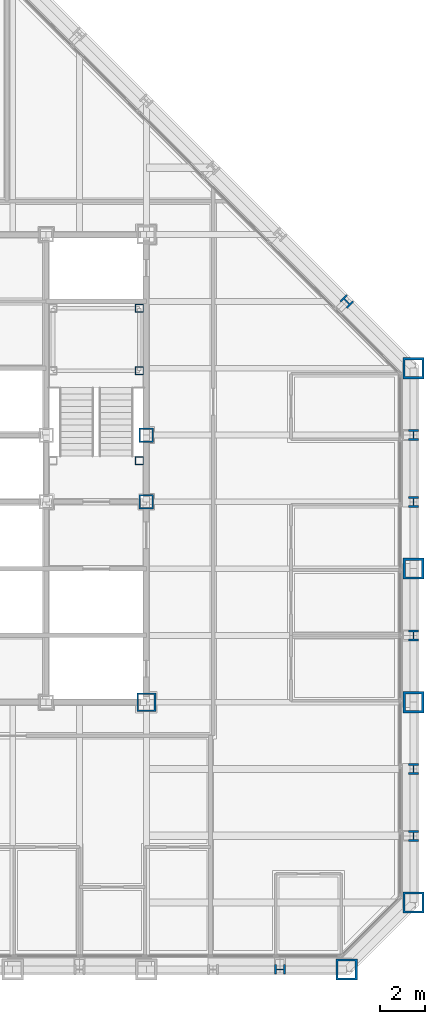
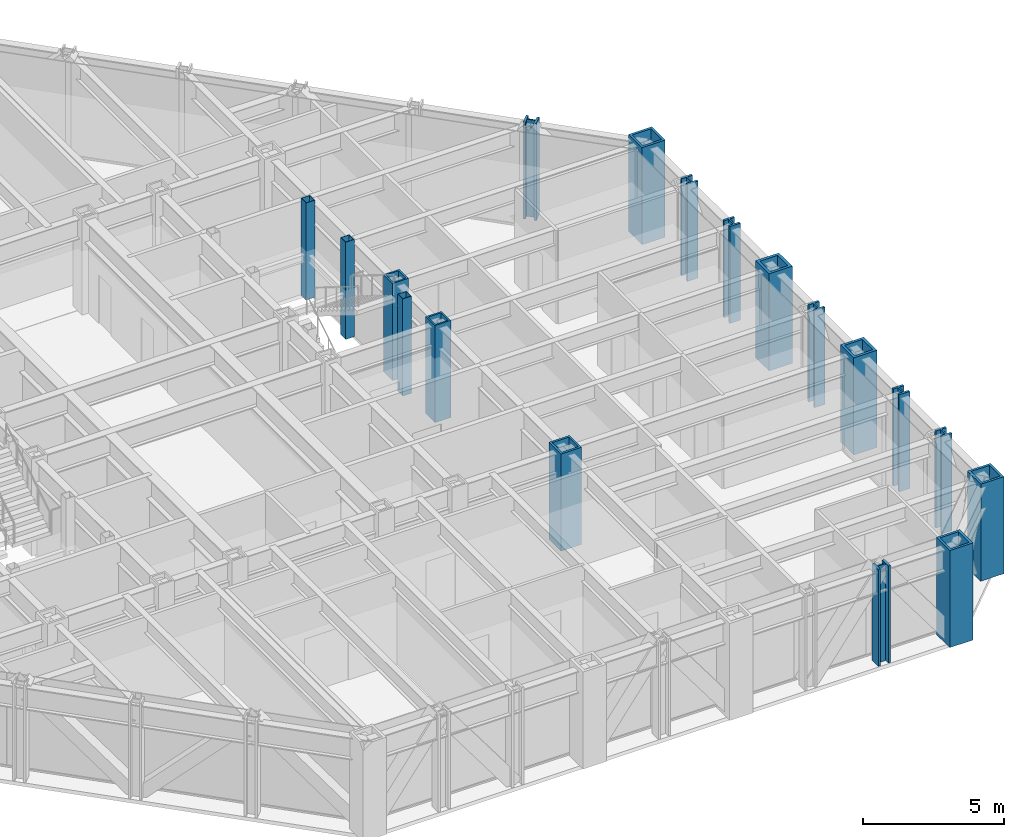
# One storey, part 2 of 16: 18 columns.
"""IFC4 building model written with IfcOpenShell, lengths in metres."""

import ifcopenshell
import ifcopenshell.guid

model = None  # the IFC model being written
_history = None  # IfcOwnerHistory: only IFC2X3 demands one
_inside = {}  # id of a spatial element -> (the spatial element, [elements in it])
_under = {}  # id of a project, library or spatial element -> (it, [spatial elements below it])
_declared = {}  # id of a project -> (the project, [libraries it declares])
_typed = {}  # id of a type object -> (the type object, [elements of that type])
_made_of = {}  # id of a material, layer set ... -> (it, [elements and type objects made of it])


def new_model(schema):
    """Start an empty IFC model of exactly this schema.

    Asked for "IFC4X3", IfcOpenShell would pick the latest addendum, in which some entities
    have other attributes; the version numbers below select the first issue.
    IFC2X3 requires an IfcOwnerHistory on every rooted entity: one is made here for all.
    """
    global model, _history
    if schema == "IFC4X3":
        model = ifcopenshell.file(schema_version=(4, 3, 0, 0))
    else:
        model = ifcopenshell.file(schema=schema)
    _inside.clear()
    _under.clear()
    _declared.clear()
    _typed.clear()
    _made_of.clear()
    _history = None
    if model.schema == "IFC2X3":
        org = make("IfcOrganization", Name="unknown")
        user = make(
            "IfcPersonAndOrganization",
            ThePerson=make("IfcPerson", FamilyName="unknown"),
            TheOrganization=org,
        )
        app = make(
            "IfcApplication",
            ApplicationDeveloper=org,
            Version="unknown",
            ApplicationFullName="unknown",
            ApplicationIdentifier="unknown",
        )
        _history = make(
            "IfcOwnerHistory",
            OwningUser=user,
            OwningApplication=app,
            ChangeAction="ADDED",
            CreationDate=0,
        )
    return model


def make(cls, **values):
    """One entity of the class cls with the attributes given. An attribute that is None is left unset."""
    return model.create_entity(
        cls, **{name: value for name, value in values.items() if value is not None}
    )


def rooted(cls, **values):
    """An entity with a GlobalId (a new one), such as an element, a storey or a relation."""
    return make(cls, GlobalId=ifcopenshell.guid.new(), OwnerHistory=_history, **values)


def si_unit(unit_type, name, prefix=None):
    """IfcSIUnit, for example si_unit("LENGTHUNIT", "METRE", prefix="MILLI")."""
    return make("IfcSIUnit", UnitType=unit_type, Prefix=prefix, Name=name)


def assignment(units):
    """IfcUnitAssignment: the units of a project."""
    return None if units is None else make("IfcUnitAssignment", Units=units)


def point(xyz):
    """IfcCartesianPoint."""
    return None if xyz is None else make("IfcCartesianPoint", Coordinates=xyz)


def direction(xyz):
    """IfcDirection."""
    return None if xyz is None else make("IfcDirection", DirectionRatios=xyz)


def frame(location, z_axis=None, x_axis=None):
    """IfcAxis2Placement3D, a coordinate frame: its origin and axes. An axis left out is left unset."""
    return make(
        "IfcAxis2Placement3D",
        Location=point(location),
        Axis=direction(z_axis),
        RefDirection=direction(x_axis),
    )


def frame_2d(location, x_axis=None):
    """IfcAxis2Placement2D, a coordinate frame in the plane: its origin and x axis."""
    return make(
        "IfcAxis2Placement2D", Location=point(location), RefDirection=direction(x_axis)
    )


def origin():
    """The frame at (0, 0, 0) with its axes left unset."""
    return frame((0.0, 0.0, 0.0))


def origin_2d():
    """The frame at (0, 0) in the plane with its x axis left unset."""
    return frame_2d((0.0, 0.0))


def place(relative_to, where):
    """IfcLocalPlacement: puts the frame where relative to a parent placement (None: the world)."""
    return make(
        "IfcLocalPlacement", PlacementRelTo=relative_to, RelativePlacement=where
    )


def context(
    kind, dimensions, precision=None, world=None, true_north=None, identifier=None
):
    """IfcGeometricRepresentationContext, for example the 3D "Model" context."""
    return make(
        "IfcGeometricRepresentationContext",
        ContextIdentifier=identifier,
        ContextType=kind,
        CoordinateSpaceDimension=dimensions,
        Precision=precision,
        WorldCoordinateSystem=world,
        TrueNorth=true_north,
    )


def subcontext(parent, identifier, kind, view, scale=None):
    """IfcGeometricRepresentationSubContext, for example "Body" below "Model"."""
    return make(
        "IfcGeometricRepresentationSubContext",
        ContextIdentifier=identifier,
        ContextType=kind,
        ParentContext=parent,
        TargetScale=scale,
        TargetView=view,
    )


def project(units=None, contexts=None):
    """IfcProject with its units and contexts."""
    return rooted(
        "IfcProject",
        Name="project",
        RepresentationContexts=contexts,
        UnitsInContext=assignment(units),
    )


def spatial(cls, under=None, at=None, **own):
    """A site, building, storey or space (cls), placed at a placement, below another one or the project."""
    s = rooted(cls, ObjectPlacement=at, **own)
    if under is not None:
        _under.setdefault(under.id(), (under, []))[1].append(s)
    return s


def profile(cls, at=None, kind="AREA", **sizes):
    """A parametric profile (cls). Its sizes go by their IFC names, for example OverallWidth=200.0."""
    return make(cls, ProfileType=kind, Position=at, **sizes)


def hollow_rectangle(**sizes):
    """IfcRectangleHollowProfileDef."""
    return profile("IfcRectangleHollowProfileDef", **sizes)


def i_section(**sizes):
    """IfcIShapeProfileDef."""
    return profile("IfcIShapeProfileDef", **sizes)


def extrude(swept, where, along, depth):
    """IfcExtrudedAreaSolid: the profile swept, set in the frame where, extruded along a direction by depth."""
    return make(
        "IfcExtrudedAreaSolid",
        SweptArea=swept,
        Position=where,
        ExtrudedDirection=direction(along),
        Depth=depth,
    )


def shape(context_of_items, identifier, shape_type, items):
    """IfcShapeRepresentation: the items that make up one representation, for example the "Body"."""
    return make(
        "IfcShapeRepresentation",
        ContextOfItems=context_of_items,
        RepresentationIdentifier=identifier,
        RepresentationType=shape_type,
        Items=items,
    )


def material(Name=None, Category=None):
    """IfcMaterial."""
    return make("IfcMaterial", Name=Name, Category=Category)


def material_profile(
    of_material, cross_section, Name=None, Category=None, Priority=None
):
    """IfcMaterialProfile: a cross section and its material."""
    return make(
        "IfcMaterialProfile",
        Name=Name,
        Material=of_material,
        Profile=cross_section,
        Priority=Priority,
        Category=Category,
    )


def profile_set(profiles, Name=None, composite=None):
    """IfcMaterialProfileSet."""
    return make(
        "IfcMaterialProfileSet",
        Name=Name,
        MaterialProfiles=profiles,
        CompositeProfile=composite,
    )


def made_of(thing, what):
    """Note that an element or type object is made of a material, layer set ...; save() writes the relation."""
    if what is not None:
        _made_of.setdefault(what.id(), (what, []))[1].append(thing)
    return thing


def type_object(cls, material=None, **own):
    """A type object (cls), such as IfcWallType, which elements share."""
    return made_of(rooted(cls, **own), material)


def element(
    cls,
    number,
    at=None,
    inside=None,
    cuts=None,
    type_object=None,
    material=None,
    context=None,
    identifier="Body",
    shape_type=None,
    held_by="IfcProductDefinitionShape",
    body=None,
    shapes=None,
    **own,
):
    """One element of the class cls, such as IfcWall. Its Tag is "e" and its number.

    at: its placement. inside: the storey or other place that contains it. cuts: it is an
    opening in that element (IfcRelVoidsElement). A single representation is given by context,
    identifier, shape_type and body (its items); several are given by shapes. held_by: the class
    of the entity that holds the representations. save() writes the other relations.
    """
    e = rooted(cls, Tag="e%d" % number, ObjectPlacement=at, **own)
    if body is not None:
        shapes = [shape(context, identifier, shape_type, body)]
    if shapes is not None:
        e.Representation = make(held_by, Representations=shapes)
    if inside is not None:
        _inside.setdefault(inside.id(), (inside, []))[1].append(e)
    if cuts is not None:
        rooted(
            "IfcRelVoidsElement", RelatingBuildingElement=cuts, RelatedOpeningElement=e
        )
    if type_object is not None:
        _typed.setdefault(type_object.id(), (type_object, []))[1].append(e)
    return made_of(e, material)


def aggregate(whole, parts):
    """IfcRelAggregates: a whole, such as a stair, and the parts it consists of."""
    return rooted("IfcRelAggregates", RelatingObject=whole, RelatedObjects=parts)


def save(model, path):
    """Write the relations noted so far, then the file.

    IfcRelAggregates (storeys below a building ...), IfcRelContainedInSpatialStructure (elements
    in a storey), IfcRelDefinesByType, IfcRelAssociatesMaterial and IfcRelDeclares: one each for
    every whole, place, type object, material and project.
    """
    for whole, parts in _under.values():
        aggregate(whole, parts)
    for where, things in _inside.values():
        rooted(
            "IfcRelContainedInSpatialStructure",
            RelatedElements=things,
            RelatingStructure=where,
        )
    for kind, things in _typed.values():
        rooted("IfcRelDefinesByType", RelatedObjects=things, RelatingType=kind)
    for what, things in _made_of.values():
        rooted("IfcRelAssociatesMaterial", RelatedObjects=things, RelatingMaterial=what)
    for by, libraries in _declared.values():
        rooted("IfcRelDeclares", RelatingContext=by, RelatedDefinitions=libraries)
    model.write(path)


model = new_model("IFC4")

# Units and contexts
model_context = context("Model", 3, precision=1e-05, world=origin(), true_north=direction((0.0, 1.0)))
body_context = subcontext(model_context, "Body", "Model", "MODEL_VIEW")
ifc_project = project(units=[si_unit("LENGTHUNIT", "METRE"), si_unit("AREAUNIT", "SQUARE_METRE"), si_unit("VOLUMEUNIT", "CUBIC_METRE"), si_unit("PLANEANGLEUNIT", "RADIAN"), si_unit("MASSUNIT", "GRAM", prefix="KILO")], contexts=[model_context])

# Site, building, storey
site_placement = place(None, origin())
site = spatial("IfcSite", under=ifc_project, at=site_placement, CompositionType="ELEMENT")
building_placement = place(site_placement, origin())
building = spatial("IfcBuilding", under=site, at=building_placement, Name="Chuquiago Exchange Tower", CompositionType="ELEMENT")
storey_placement = place(building_placement, frame((0.0, 0.0, 140.39990234375)))
storey = spatial("IfcBuildingStorey", under=building, at=storey_placement, Name="L30", CompositionType="ELEMENT", Elevation=140.39990234375)

# Columns
ifc_material_1 = material(Name="Steel ASTM A992", Category="steel")
ifc_material_profile_1 = material_profile(ifc_material_1, i_section(OverallWidth=0.431884765625, OverallDepth=0.497802734375, WebThickness=0.0556640625, FlangeThickness=0.0888671875, at=origin_2d()), Name="W14X500")
ifc_profile_set_1 = profile_set([ifc_material_profile_1], Name="Steel ASTM A992")
column_type_1 = type_object("IfcColumnType", Name="C7 W14X500", PredefinedType="COLUMN", material=ifc_profile_set_1)
for number, where, z_axis, x_axis, name in (
    (1, (39.0, 0.0, 0.0), (0.0, 0.0, 1.0), (0.0, -1.0, 0.0), "COL-L30-39_0"),
    (2, (45.0, 6.0, 0.0), (0.0, 0.0, 1.0), (1.0, 0.0, 0.0), "COL-L30-45_6"),
    (3, (45.0, 9.0, 0.0), (0.0, 0.0, 1.0), (1.0, 0.0, 0.0), "COL-L30-45_9"),
    (4, (45.0, 15.0, 0.0), (0.0, 0.0, 1.0), (1.0, 0.0, 0.0), "COL-L30-45_15"),
    (5, (45.0, 21.0, 0.0), (0.0, 0.0, 1.0), (1.0, 0.0, 0.0), "COL-L30-45_21"),
    (6, (45.0, 24.0, 0.0), (0.0, 0.0, 1.0), (1.0, 0.0, 0.0), "COL-L30-45_24"),
):
    element("IfcColumn", number, at=place(storey_placement, frame(where, z_axis=z_axis, x_axis=x_axis)), inside=storey, type_object=column_type_1, Name=name, PredefinedType="COLUMN", context=body_context, shape_type="SweptSolid", body=[
        extrude(i_section(OverallWidth=0.431884765625, OverallDepth=0.497802734375, WebThickness=0.0556640625, FlangeThickness=0.0888671875, at=origin_2d()), origin(), (0.0, 0.0, 1.0), 4.2001953125),
    ])
ifc_material_2 = material(Name="Steel ASTM A572 Grade 50", Category="steel")
ifc_material_profile_2 = material_profile(ifc_material_2, hollow_rectangle(XDim=0.85009765625, YDim=0.85009765625, WallThickness=0.0849609375, at=origin_2d()), Name="BOX850X850X85")
ifc_profile_set_2 = profile_set([ifc_material_profile_2], Name="Steel ASTM A572 Grade 50")
column_type_2 = type_object("IfcColumnType", Name="CC6 BOX850X850X85", PredefinedType="COLUMN", material=ifc_profile_set_2)
column_1_placement = place(storey_placement, frame((33.0, 12.0, 0.0), z_axis=(0.0, 0.0, 1.0), x_axis=(1.0, 0.0, 0.0)))
element("IfcColumn", 7, at=column_1_placement, inside=storey, type_object=column_type_2, Name="CCOL-L30-33_12", PredefinedType="COLUMN", context=body_context, shape_type="SweptSolid", body=[
    extrude(hollow_rectangle(XDim=0.85009765625, YDim=0.85009765625, WallThickness=0.0849609375, at=origin_2d()), origin(), (0.0, 0.0, 1.0), 4.2001953125),
])
ifc_material_3 = material(Name="Steel ASTM A572 Grade 50", Category="steel")
ifc_material_profile_3 = material_profile(ifc_material_3, hollow_rectangle(XDim=0.64990234375, YDim=0.64990234375, WallThickness=0.06494140625, at=origin_2d()), Name="BOX650X650X65")
ifc_profile_set_3 = profile_set([ifc_material_profile_3], Name="Steel ASTM A572 Grade 50")
column_type_3 = type_object("IfcColumnType", Name="CC7 BOX650X650X65", PredefinedType="COLUMN", material=ifc_profile_set_3)
for number, where, z_axis, x_axis, name in (
    (8, (33.0, 21.0, 0.0), (0.0, 0.0, 1.0), (1.0, 0.0, 0.0), "CCOL-L30-33_21"),
    (9, (33.0, 24.0, 0.0), (0.0, 0.0, 1.0), (1.0, 0.0, 0.0), "CCOL-L30-33_24"),
):
    element("IfcColumn", number, at=place(storey_placement, frame(where, z_axis=z_axis, x_axis=x_axis)), inside=storey, type_object=column_type_3, Name=name, PredefinedType="COLUMN", context=body_context, shape_type="SweptSolid", body=[
        extrude(hollow_rectangle(XDim=0.64990234375, YDim=0.64990234375, WallThickness=0.06494140625, at=origin_2d()), origin(), (0.0, 0.0, 1.0), 4.2001953125),
    ])
ifc_material_4 = material(Name="Steel ASTM A992", Category="steel")
ifc_material_profile_4 = material_profile(ifc_material_4, i_section(OverallWidth=0.4267578125, OverallDepth=0.482666015625, WebThickness=0.05126953125, FlangeThickness=0.08154296875, at=origin_2d()), Name="W14X455")
ifc_profile_set_4 = profile_set([ifc_material_profile_4], Name="Steel ASTM A992")
column_type_4 = type_object("IfcColumnType", Name="CK6 W14X455", PredefinedType="COLUMN", material=ifc_profile_set_4)
column_2_placement = place(storey_placement, frame((42.0, 30.0, 0.0), z_axis=(0.0, 0.0, 1.0), x_axis=(0.707106781187, 0.707106781187, 0.0)))
element("IfcColumn", 10, at=column_2_placement, inside=storey, type_object=column_type_4, Name="COL-L30-42_30", PredefinedType="COLUMN", context=body_context, shape_type="SweptSolid", body=[
    extrude(i_section(OverallWidth=0.4267578125, OverallDepth=0.482666015625, WebThickness=0.05126953125, FlangeThickness=0.08154296875, at=origin_2d()), origin(), (0.0, 0.0, 1.0), 4.2001953125),
])
ifc_material_5 = material(Name="Steel ASTM A572 Grade 50", Category="steel")
ifc_material_profile_5 = material_profile(ifc_material_5, hollow_rectangle(XDim=0.949951171875, YDim=0.949951171875, WallThickness=0.094970703125, at=origin_2d()), Name="BOX950X950X95")
ifc_profile_set_5 = profile_set([ifc_material_profile_5], Name="Steel ASTM A572 Grade 50")
column_type_5 = type_object("IfcColumnType", Name="CN1 BOX950X950X95", PredefinedType="COLUMN", material=ifc_profile_set_5)
for number, where, z_axis, x_axis, name in (
    (11, (42.0, 0.0, 0.0), (0.0, 0.0, 1.0), (0.0, -1.0, 0.0), "COL-L30-42_0"),
    (12, (45.0, 3.0, 0.0), (0.0, 0.0, 1.0), (1.0, 0.0, 0.0), "COL-L30-45_3"),
    (13, (45.0, 27.0, 0.0), (0.0, 0.0, 1.0), (1.0, 0.0, 0.0), "COL-L30-45_27"),
):
    element("IfcColumn", number, at=place(storey_placement, frame(where, z_axis=z_axis, x_axis=x_axis)), inside=storey, type_object=column_type_5, Name=name, PredefinedType="COLUMN", context=body_context, shape_type="SweptSolid", body=[
        extrude(hollow_rectangle(XDim=0.949951171875, YDim=0.949951171875, WallThickness=0.094970703125, at=origin_2d()), origin(), (0.0, 0.0, 1.0), 4.2001953125),
    ])
ifc_material_6 = material(Name="Steel ASTM A572 Grade 42", Category="steel")
ifc_material_profile_6 = material_profile(ifc_material_6, hollow_rectangle(XDim=0.949951171875, YDim=0.949951171875, WallThickness=0.110107421875, at=origin_2d()), Name="BOX950X950X110")
ifc_profile_set_6 = profile_set([ifc_material_profile_6], Name="Steel ASTM A572 Grade 42")
column_type_6 = type_object("IfcColumnType", Name="CT1 BOX950X950X110", PredefinedType="COLUMN", material=ifc_profile_set_6)
for number, where, z_axis, x_axis, name in (
    (14, (45.0, 12.0, 0.0), (0.0, 0.0, 1.0), (1.0, 0.0, 0.0), "COL-L30-45_12"),
    (15, (45.0, 18.0, 0.0), (0.0, 0.0, 1.0), (1.0, 0.0, 0.0), "COL-L30-45_18"),
):
    element("IfcColumn", number, at=place(storey_placement, frame(where, z_axis=z_axis, x_axis=x_axis)), inside=storey, type_object=column_type_6, Name=name, PredefinedType="COLUMN", context=body_context, shape_type="SweptSolid", body=[
        extrude(hollow_rectangle(XDim=0.949951171875, YDim=0.949951171875, WallThickness=0.110107421875, at=origin_2d()), origin(), (0.0, 0.0, 1.0), 4.2001953125),
    ])
ifc_material_7 = material(Name="Steel ASTM A500 Grade C", Category="steel")
ifc_material_profile_7 = material_profile(ifc_material_7, hollow_rectangle(XDim=0.355712890625, YDim=0.355712890625, WallThickness=0.0146484375, at=origin_2d()), Name="HSS14X14X5/8")
ifc_profile_set_7 = profile_set([ifc_material_profile_7], Name="Steel ASTM A500 Grade C")
column_type_7 = type_object("IfcColumnType", Name="PT2 HSS14X14X5/8", PredefinedType="COLUMN", material=ifc_profile_set_7)
for number, where, z_axis, x_axis, name in (
    (16, (32.68994140625, 29.68994140625, 0.0), (0.0, 0.0, 1.0), (1.0, 0.0, 0.0), "Stair ST2 L30 landing post"),
    (17, (32.68994140625, 26.889892578125, 0.0), (0.0, 0.0, 1.0), (1.0, 0.0, 0.0), "Stair ST2 L30 landing post"),
    (18, (32.68994140625, 22.85009765625, 0.0), (0.0, 0.0, 1.0), (1.0, 0.0, 0.0), "Stair ST2 L30 landing post"),
):
    element("IfcColumn", number, at=place(storey_placement, frame(where, z_axis=z_axis, x_axis=x_axis)), inside=storey, type_object=column_type_7, Name=name, PredefinedType="COLUMN", context=body_context, shape_type="SweptSolid", body=[
        extrude(hollow_rectangle(XDim=0.355712890625, YDim=0.355712890625, WallThickness=0.0146484375, at=origin_2d()), origin(), (0.0, 0.0, 1.0), 4.2001953125),
    ])

save(model, "model.ifc")
